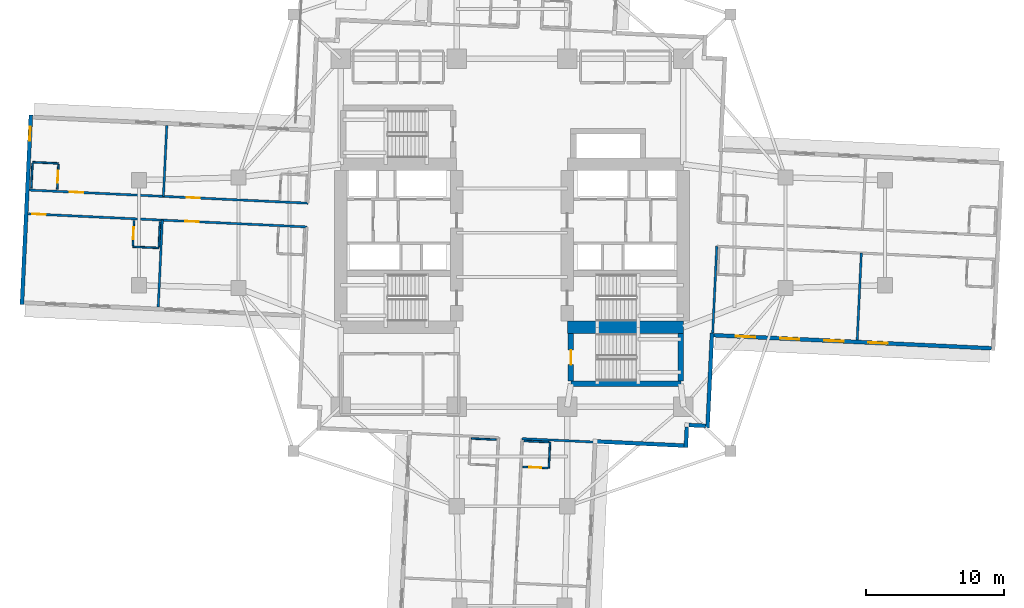
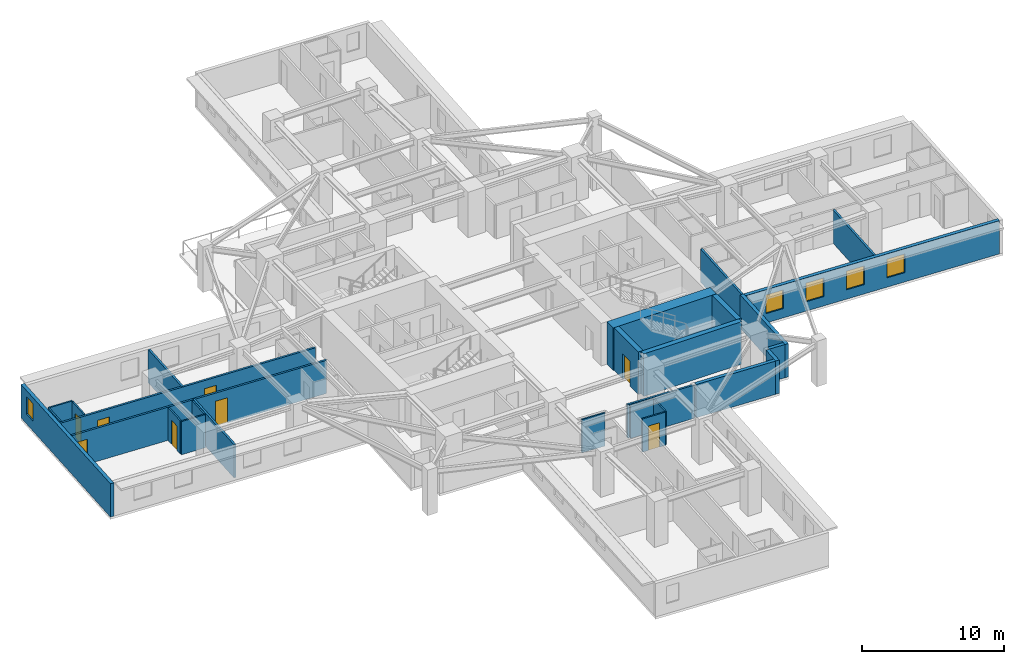
# One storey, part 4 of 13: 27 walls, 8 doors, 5 windows, 13 openings.
"""IFC4 building model written with IfcOpenShell, lengths in metres."""

from ifc_helpers import new_model, si_unit, direction, frame, frame_2d, origin, place, context, subcontext, project, spatial, rectangle, extrude, material, layer, layer_set, type_object, element, fill, save


model = new_model("IFC4")

# Units and contexts
model_context = context("Model", 3, precision=1e-05, world=origin(), true_north=direction((0.0, 1.0)))
body_context = subcontext(model_context, "Body", "Model", "MODEL_VIEW")
ifc_project = project(units=[si_unit("LENGTHUNIT", "METRE"), si_unit("AREAUNIT", "SQUARE_METRE"), si_unit("VOLUMEUNIT", "CUBIC_METRE"), si_unit("PLANEANGLEUNIT", "RADIAN"), si_unit("MASSUNIT", "GRAM", prefix="KILO")], contexts=[model_context])

# Site, building, storey
site_placement = place(None, origin())
site = spatial("IfcSite", under=ifc_project, at=site_placement, CompositionType="ELEMENT")
building_placement = place(site_placement, origin())
building = spatial("IfcBuilding", under=site, at=building_placement, Name="Qingluan Cross Belvedere", CompositionType="ELEMENT")
storey_placement = place(building_placement, frame((0.0, 0.0, 91.199951171875)))
storey = spatial("IfcBuildingStorey", under=building, at=storey_placement, Name="L23", CompositionType="ELEMENT", Elevation=91.199951171875)

# Wall
ifc_material_1 = material(Name="Concrete C50", Category="concrete")
ifc_layer_1 = layer(ifc_material_1, 0.449951171875, Name="CoreShearWall_450")
ifc_layer_set_1 = layer_set([ifc_layer_1], Name="Concrete C50")
wall_type_1 = type_object("IfcWallType", Name="CoreShearWall_450", PredefinedType="SHEAR", material=ifc_layer_set_1)
wall_1_placement = place(storey_placement, frame((4.260009765625, -10.93994140625, 0.0), z_axis=(0.0, 0.0, 1.0), x_axis=(1.0, 0.0, 0.0)))
element("IfcWall", 1, at=wall_1_placement, inside=storey, type_object=wall_type_1, Name="Stair ST4 structural wall S L23", PredefinedType="SHEAR", context=body_context, shape_type="SweptSolid", body=[
    extrude(rectangle(XDim=7.9599609375, YDim=0.39990234375, at=frame_2d((3.97998046875, 0.0))), origin(), (0.0, 0.0, 1.0), 3.650146484375),
])

# Wall, opening, door
wall_2_placement = place(storey_placement, frame((4.260009765625, -10.735107421875, 0.0), z_axis=(0.0, 0.0, 1.0), x_axis=(0.0, 1.0, 0.0)))
wall_2 = element("IfcWall", 2, at=wall_2_placement, inside=storey, type_object=wall_type_1, Name="Stair ST4 structural wall W L23", PredefinedType="SHEAR", context=body_context, shape_type="SweptSolid", body=[
    extrude(rectangle(XDim=3.43017578125, YDim=0.39990234375, at=frame_2d((1.715087890625, 0.0))), origin(), (0.0, 0.0, 1.0), 3.650146484375),
])
opening_1_placement = place(wall_2_placement, frame((1.18505859375, 0.0, 0.0)))
opening_1 = element("IfcOpeningElement", 3, at=opening_1_placement, cuts=wall_2, Name="Opening FD-B11", PredefinedType="OPENING", context=body_context, shape_type="SweptSolid", body=[
    extrude(rectangle(XDim=1.050048828125, YDim=2.14990234375, at=frame_2d((0.52490234375, 1.074951171875))), frame((0.0, 0.2099609375, 0.0), z_axis=(0.0, -1.0, 0.0), x_axis=(1.0, 0.0, 0.0)), (0.0, 0.0, 1.0), 0.419921875),
])
ifc_material_2 = material(Name="Steel Class B smoke-seal fire door", Category="steel")
door_type_1 = type_object("IfcDoorType", Name="StairLobbyFireDoor_FDB", OperationType="NOTDEFINED", PredefinedType="DOOR", material=ifc_material_2)
door_1_placement = place(opening_1_placement, origin())
door_1 = element("IfcDoor", 4, at=door_1_placement, inside=storey, type_object=door_type_1, Name="Smoke-proof stair ST4 fire door L23", OperationType="SINGLE_SWING_LEFT", OverallHeight=2.14990234375, OverallWidth=1.050048828125, PredefinedType="DOOR", context=body_context, shape_type="SweptSolid", body=[
    extrude(rectangle(XDim=1.050048828125, YDim=2.14990234375, at=frame_2d((0.52490234375, 1.074951171875))), frame((0.0, 0.02490234375, 0.0), z_axis=(0.0, -1.0, 0.0), x_axis=(1.0, 0.0, 0.0)), (0.0, 0.0, 1.0), 0.050048828125),
])
fill(opening_1, door_1)

# Walls
wall_3_placement = place(storey_placement, frame((12.219970703125, -10.735107421875, 0.0), z_axis=(0.0, 0.0, 1.0), x_axis=(0.0, 1.0, 0.0)))
element("IfcWall", 5, at=wall_3_placement, inside=storey, type_object=wall_type_1, Name="Stair ST4 structural wall E L23", PredefinedType="SHEAR", context=body_context, shape_type="SweptSolid", body=[
    extrude(rectangle(XDim=3.43017578125, YDim=0.39990234375, at=frame_2d((1.715087890625, 0.0))), origin(), (0.0, 0.0, 1.0), 3.650146484375),
])
ifc_material_3 = material(Name="Concrete C70", Category="concrete")
ifc_layer_2 = layer(ifc_material_3, 0.89990234375, Name="CoreShearWall_900")
ifc_layer_set_2 = layer_set([ifc_layer_2], Name="Concrete C70")
wall_type_2 = type_object("IfcWallType", Name="CoreShearWall_900", PredefinedType="SHEAR", material=ifc_layer_set_2)
wall_4_placement = place(storey_placement, frame((4.0, -6.85009765625, 0.0), z_axis=(0.0, 0.0, 1.0), x_axis=(1.0, 0.0, 0.0)))
element("IfcWall", 6, at=wall_4_placement, inside=storey, type_object=wall_type_2, Name="Split core E shear wall L23-S", PredefinedType="SHEAR", context=body_context, shape_type="SweptSolid", body=[
    extrude(rectangle(XDim=8.39990234375, YDim=0.89990234375, at=frame_2d((4.199951171875, 0.0))), origin(), (0.0, 0.0, 1.0), 3.650146484375),
])
ifc_material_4 = material(Name="Gypsum plasterboard on steel stud acoustic partition", Category="steel")
ifc_layer_3 = layer(ifc_material_4, 0.159912109375, Name="CorridorPartition_160")
ifc_layer_set_3 = layer_set([ifc_layer_3], Name="Gypsum plasterboard on steel stud acoustic partition")
wall_type_3 = type_object("IfcWallType", Name="CorridorPartition_160", PredefinedType="PARTITIONING", material=ifc_layer_set_3)
wall_5_placement = place(storey_placement, frame((14.8203125, -0.979248046875, 0.0), z_axis=(0.0, 0.0, 1.0), x_axis=(-0.047104274115, -0.998889977605, 0.0)))
element("IfcWall", 7, at=wall_5_placement, inside=storey, type_object=wall_type_3, Name="Partition L23:E:s1", PredefinedType="PARTITIONING", context=body_context, shape_type="SweptSolid", body=[
    extrude(rectangle(XDim=6.292236328125, YDim=0.159912109375, at=frame_2d((3.14599609375, 0.0))), origin(), (0.0, 0.0, 1.0), 2.85009765625),
])
wall_6_placement = place(storey_placement, frame((25.27880859375, -1.472412109375, 0.0), z_axis=(0.0, 0.0, 1.0), x_axis=(-0.047106099844, -0.998889891508, 0.0)))
element("IfcWall", 8, at=wall_6_placement, inside=storey, type_object=wall_type_3, Name="Partition L23:E:d1_0", PredefinedType="PARTITIONING", context=body_context, shape_type="SweptSolid", body=[
    extrude(rectangle(XDim=6.2919921875, YDim=0.159912109375, at=frame_2d((3.14599609375, 0.0))), origin(), (0.0, 0.0, 1.0), 2.85009765625),
])

# Wall, openings, doors
wall_7_placement = place(storey_placement, frame((-14.765625, 2.137939453125, 0.0), z_axis=(0.0, 0.0, 1.0), x_axis=(-0.998889926753, 0.047105352469, 0.0)))
wall_7 = element("IfcWall", 9, at=wall_7_placement, inside=storey, type_object=wall_type_3, Name="Partition L23:W:c0", PredefinedType="PARTITIONING", context=body_context, shape_type="SweptSolid", body=[
    extrude(rectangle(XDim=20.18212890625, YDim=0.159912109375, at=frame_2d((10.091064453125, 0.0))), origin(), (0.0, 0.0, 1.0), 2.85009765625),
])
opening_2_placement = place(wall_7_placement, frame((7.8359375, 0.0, 0.0)))
opening_2 = element("IfcOpeningElement", 10, at=opening_2_placement, cuts=wall_7, Name="Opening GD-10", PredefinedType="OPENING", context=body_context, shape_type="SweptSolid", body=[
    extrude(rectangle(XDim=0.9599609375, YDim=2.14990234375, at=frame_2d((0.47998046875, 1.074951171875))), frame((0.0, 0.08984375, 0.0), z_axis=(0.0, -1.0, 0.0), x_axis=(1.0, 0.0, 0.0)), (0.0, 0.0, 1.0), 0.179931640625),
])
opening_3_placement = place(wall_7_placement, frame((16.2958984375, 0.0, 0.0)))
opening_3 = element("IfcOpeningElement", 11, at=opening_3_placement, cuts=wall_7, Name="Opening GD-10", PredefinedType="OPENING", context=body_context, shape_type="SweptSolid", body=[
    extrude(rectangle(XDim=0.9599609375, YDim=2.14990234375, at=frame_2d((0.47998046875, 1.074951171875))), frame((0.0, 0.08984375, 0.0), z_axis=(0.0, -1.0, 0.0), x_axis=(1.0, 0.0, 0.0)), (0.0, 0.0, 1.0), 0.179931640625),
])
ifc_material_5 = material(Name="Timber oak fire-rated acoustic guestroom door", Category="wood")
door_type_2 = type_object("IfcDoorType", Name="GuestEntryDoor_FD60", OperationType="NOTDEFINED", PredefinedType="DOOR", material=ifc_material_5)
door_2_placement = place(opening_2_placement, origin())
door_2 = element("IfcDoor", 12, at=door_2_placement, inside=storey, type_object=door_type_2, Name="Guest entry fire door 2305", OperationType="SINGLE_SWING_LEFT", OverallHeight=2.14990234375, OverallWidth=0.9599609375, PredefinedType="DOOR", context=body_context, shape_type="SweptSolid", body=[
    extrude(rectangle(XDim=0.9599609375, YDim=2.14990234375, at=frame_2d((0.47998046875, 1.074951171875))), frame((0.0, 0.02490234375, 0.0), z_axis=(0.0, -1.0, 0.0), x_axis=(1.0, 0.0, 0.0)), (0.0, 0.0, 1.0), 0.050048828125),
])
fill(opening_2, door_2)
door_3_placement = place(opening_3_placement, origin())
door_3 = element("IfcDoor", 13, at=door_3_placement, inside=storey, type_object=door_type_2, Name="Guest entry fire door 2306", OperationType="SINGLE_SWING_LEFT", OverallHeight=2.14990234375, OverallWidth=0.9599609375, PredefinedType="DOOR", context=body_context, shape_type="SweptSolid", body=[
    extrude(rectangle(XDim=0.9599609375, YDim=2.14990234375, at=frame_2d((0.47998046875, 1.074951171875))), frame((0.0, 0.02490234375, 0.0), z_axis=(0.0, -1.0, 0.0), x_axis=(1.0, 0.0, 0.0)), (0.0, 0.0, 1.0), 0.050048828125),
])
fill(opening_3, door_3)

# Wall
wall_8_placement = place(storey_placement, frame((-25.22412109375, 2.631103515625, 0.0), z_axis=(0.0, 0.0, 1.0), x_axis=(0.047097271264, 0.998890307811, 0.0)))
element("IfcWall", 14, at=wall_8_placement, inside=storey, type_object=wall_type_3, Name="Partition L23:W:d0_0", PredefinedType="PARTITIONING", context=body_context, shape_type="SweptSolid", body=[
    extrude(rectangle(XDim=5.1318359375, YDim=0.159912109375, at=frame_2d((2.56591796875, 0.0))), origin(), (0.0, 0.0, 1.0), 2.85009765625),
])

# Wall, openings, doors
wall_9_placement = place(storey_placement, frame((-14.8466796875, 0.419921875, 0.0), z_axis=(0.0, 0.0, 1.0), x_axis=(-0.998889926753, 0.047105352469, 0.0)))
wall_9 = element("IfcWall", 15, at=wall_9_placement, inside=storey, type_object=wall_type_3, Name="Partition L23:W:c1", PredefinedType="PARTITIONING", context=body_context, shape_type="SweptSolid", body=[
    extrude(rectangle(XDim=20.18212890625, YDim=0.159912109375, at=frame_2d((10.091064453125, 0.0))), origin(), (0.0, 0.0, 1.0), 2.85009765625),
])
opening_4_placement = place(wall_9_placement, frame((7.8359375, 0.0, 0.0)))
opening_4 = element("IfcOpeningElement", 16, at=opening_4_placement, cuts=wall_9, Name="Opening GD-10", PredefinedType="OPENING", context=body_context, shape_type="SweptSolid", body=[
    extrude(rectangle(XDim=0.9599609375, YDim=2.14990234375, at=frame_2d((0.47998046875, 1.074951171875))), frame((0.0, 0.08984375, 0.0), z_axis=(0.0, -1.0, 0.0), x_axis=(1.0, 0.0, 0.0)), (0.0, 0.0, 1.0), 0.179931640625),
])
opening_5_placement = place(wall_9_placement, frame((18.929931640625, 0.0, 0.0)))
opening_5 = element("IfcOpeningElement", 17, at=opening_5_placement, cuts=wall_9, Name="Opening GD-10", PredefinedType="OPENING", context=body_context, shape_type="SweptSolid", body=[
    extrude(rectangle(XDim=0.9599609375, YDim=2.14990234375, at=frame_2d((0.47998046875, 1.074951171875))), frame((0.0, 0.08984375, 0.0), z_axis=(0.0, -1.0, 0.0), x_axis=(1.0, 0.0, 0.0)), (0.0, 0.0, 1.0), 0.179931640625),
])
door_4_placement = place(opening_4_placement, origin())
door_4 = element("IfcDoor", 18, at=door_4_placement, inside=storey, type_object=door_type_2, Name="Guest entry fire door 2307", OperationType="SINGLE_SWING_LEFT", OverallHeight=2.14990234375, OverallWidth=0.9599609375, PredefinedType="DOOR", context=body_context, shape_type="SweptSolid", body=[
    extrude(rectangle(XDim=0.9599609375, YDim=2.14990234375, at=frame_2d((0.47998046875, 1.074951171875))), frame((0.0, 0.02490234375, 0.0), z_axis=(0.0, -1.0, 0.0), x_axis=(1.0, 0.0, 0.0)), (0.0, 0.0, 1.0), 0.050048828125),
])
fill(opening_4, door_4)
door_5_placement = place(opening_5_placement, origin())
door_5 = element("IfcDoor", 19, at=door_5_placement, inside=storey, type_object=door_type_2, Name="Guest entry fire door 2308", OperationType="SINGLE_SWING_LEFT", OverallHeight=2.14990234375, OverallWidth=0.9599609375, PredefinedType="DOOR", context=body_context, shape_type="SweptSolid", body=[
    extrude(rectangle(XDim=0.9599609375, YDim=2.14990234375, at=frame_2d((0.47998046875, 1.074951171875))), frame((0.0, 0.02490234375, 0.0), z_axis=(0.0, -1.0, 0.0), x_axis=(1.0, 0.0, 0.0)), (0.0, 0.0, 1.0), 0.050048828125),
])
fill(opening_5, door_5)

# Walls
wall_10_placement = place(storey_placement, frame((-25.30517578125, 0.9130859375, 0.0), z_axis=(0.0, 0.0, 1.0), x_axis=(-0.047065559216, -0.998891802517, 0.0)))
element("IfcWall", 20, at=wall_10_placement, inside=storey, type_object=wall_type_3, Name="Partition L23:W:d1_0", PredefinedType="PARTITIONING", context=body_context, shape_type="SweptSolid", body=[
    extrude(rectangle(XDim=6.292236328125, YDim=0.159912109375, at=frame_2d((3.14599609375, 0.0))), origin(), (0.0, 0.0, 1.0), 2.85009765625),
])
wall_11_placement = place(storey_placement, frame((0.739013671875, -14.9013671875, 0.0), z_axis=(0.0, 0.0, 1.0), x_axis=(0.998889275357, -0.047119163577, 0.0)))
element("IfcWall", 21, at=wall_11_placement, inside=storey, type_object=wall_type_3, Name="Partition L23:S:s0", PredefinedType="PARTITIONING", context=body_context, shape_type="SweptSolid", body=[
    extrude(rectangle(XDim=5.27978515625, YDim=0.159912109375, at=frame_2d((2.639892578125, 0.0))), origin(), (0.0, 0.0, 1.0), 2.85009765625),
])

# Wall, opening, door
ifc_material_6 = material(Name="Moisture-resistant gypsum board lining")
ifc_layer_4 = layer(ifc_material_6, 0.1201171875, Name="EnsuiteWetPartition_120")
ifc_layer_set_4 = layer_set([ifc_layer_4], Name="Moisture-resistant gypsum board lining")
wall_type_4 = type_object("IfcWallType", Name="EnsuiteWetPartition_120", PredefinedType="PARTITIONING", material=ifc_layer_set_4)
wall_12_placement = place(storey_placement, frame((-32.908935546875, 3.1337890625, 0.0), z_axis=(0.0, 0.0, 1.0), x_axis=(0.047087116047, 0.998890786574, 0.0)))
wall_12 = element("IfcWall", 22, at=wall_12_placement, inside=storey, type_object=wall_type_4, Name="Partition L23:W:bs0_1", PredefinedType="PARTITIONING", context=body_context, shape_type="SweptSolid", body=[
    extrude(rectangle(XDim=1.81982421875, YDim=0.1201171875, at=frame_2d((0.909912109375, 0.0))), origin(), (0.0, 0.0, 1.0), 2.85009765625),
])
opening_6_placement = place(wall_12_placement, frame((0.469970703125, 0.0, 0.0)))
opening_6 = element("IfcOpeningElement", 23, at=opening_6_placement, cuts=wall_12, Name="Opening BD-09", PredefinedType="OPENING", context=body_context, shape_type="SweptSolid", body=[
    extrude(rectangle(XDim=0.8798828125, YDim=2.10009765625, at=frame_2d((0.43994140625, 1.050048828125))), frame((0.0, 0.070068359375, 0.0), z_axis=(0.0, -1.0, 0.0), x_axis=(1.0, 0.0, 0.0)), (0.0, 0.0, 1.0), 0.14013671875),
])
ifc_material_7 = material(Name="Moisture-sealed timber en-suite door", Category="wood")
door_type_3 = type_object("IfcDoorType", Name="BathroomDoor_880", OperationType="NOTDEFINED", PredefinedType="DOOR", material=ifc_material_7)
door_6_placement = place(opening_6_placement, origin())
door_6 = element("IfcDoor", 24, at=door_6_placement, inside=storey, type_object=door_type_3, Name="Bathroom door 2306", OperationType="SINGLE_SWING_RIGHT", OverallHeight=2.10009765625, OverallWidth=0.8798828125, PredefinedType="DOOR", context=body_context, shape_type="SweptSolid", body=[
    extrude(rectangle(XDim=0.8798828125, YDim=2.10009765625, at=frame_2d((0.43994140625, 1.050048828125))), frame((0.0, 0.02490234375, 0.0), z_axis=(0.0, -1.0, 0.0), x_axis=(1.0, 0.0, 0.0)), (0.0, 0.0, 1.0), 0.050048828125),
])
fill(opening_6, door_6)

# Walls
wall_13_placement = place(storey_placement, frame((-34.786865234375, 3.222412109375, 0.0), z_axis=(0.0, 0.0, 1.0), x_axis=(0.047087116047, 0.998890786574, 0.0)))
element("IfcWall", 25, at=wall_13_placement, inside=storey, type_object=wall_type_4, Name="Partition L23:W:bw0_1", PredefinedType="PARTITIONING", context=body_context, shape_type="SweptSolid", body=[
    extrude(rectangle(XDim=1.81982421875, YDim=0.1201171875, at=frame_2d((0.909912109375, 0.0))), origin(), (0.0, 0.0, 1.0), 2.85009765625),
])
wall_14_placement = place(storey_placement, frame((-32.820068359375, 5.0166015625, 0.0), z_axis=(0.0, 0.0, 1.0), x_axis=(-0.998888319371, 0.047139425368, 0.0)))
element("IfcWall", 26, at=wall_14_placement, inside=storey, type_object=wall_type_4, Name="Partition L23:W:bn0_1", PredefinedType="PARTITIONING", context=body_context, shape_type="SweptSolid", body=[
    extrude(rectangle(XDim=1.880126953125, YDim=0.1201171875, at=frame_2d((0.93994140625, 0.0))), origin(), (0.0, 0.0, 1.0), 2.85009765625),
])

# Wall, opening, door
wall_15_placement = place(storey_placement, frame((-27.43505859375, -0.94873046875, 0.0), z_axis=(0.0, 0.0, 1.0), x_axis=(0.047080807099, 0.998891083954, 0.0)))
wall_15 = element("IfcWall", 27, at=wall_15_placement, inside=storey, type_object=wall_type_4, Name="Partition L23:W:bs1_1", PredefinedType="PARTITIONING", context=body_context, shape_type="SweptSolid", body=[
    extrude(rectangle(XDim=1.820068359375, YDim=0.1201171875, at=frame_2d((0.91015625, 0.0))), origin(), (0.0, 0.0, 1.0), 2.85009765625),
])
opening_7_placement = place(wall_15_placement, frame((0.469970703125, 0.0, 0.0)))
opening_7 = element("IfcOpeningElement", 28, at=opening_7_placement, cuts=wall_15, Name="Opening BD-09", PredefinedType="OPENING", context=body_context, shape_type="SweptSolid", body=[
    extrude(rectangle(XDim=0.8798828125, YDim=2.10009765625, at=frame_2d((0.43994140625, 1.050048828125))), frame((0.0, 0.070068359375, 0.0), z_axis=(0.0, -1.0, 0.0), x_axis=(1.0, 0.0, 0.0)), (0.0, 0.0, 1.0), 0.14013671875),
])
door_7_placement = place(opening_7_placement, origin())
door_7 = element("IfcDoor", 29, at=door_7_placement, inside=storey, type_object=door_type_3, Name="Bathroom door 2308", OperationType="SINGLE_SWING_RIGHT", OverallHeight=2.10009765625, OverallWidth=0.8798828125, PredefinedType="DOOR", context=body_context, shape_type="SweptSolid", body=[
    extrude(rectangle(XDim=0.8798828125, YDim=2.10009765625, at=frame_2d((0.43994140625, 1.050048828125))), frame((0.0, 0.02490234375, 0.0), z_axis=(0.0, -1.0, 0.0), x_axis=(1.0, 0.0, 0.0)), (0.0, 0.0, 1.0), 0.050048828125),
])
fill(opening_7, door_7)

# Walls
wall_16_placement = place(storey_placement, frame((-25.55712890625, -1.037109375, 0.0), z_axis=(0.0, 0.0, 1.0), x_axis=(0.047087116047, 0.998890786574, 0.0)))
element("IfcWall", 30, at=wall_16_placement, inside=storey, type_object=wall_type_4, Name="Partition L23:W:bw1_1", PredefinedType="PARTITIONING", context=body_context, shape_type="SweptSolid", body=[
    extrude(rectangle(XDim=1.81982421875, YDim=0.1201171875, at=frame_2d((0.909912109375, 0.0))), origin(), (0.0, 0.0, 1.0), 2.85009765625),
])
wall_17_placement = place(storey_placement, frame((-25.560302734375, -1.102294921875, 0.0), z_axis=(0.0, 0.0, 1.0), x_axis=(-0.998888319371, 0.047139425368, 0.0)))
element("IfcWall", 31, at=wall_17_placement, inside=storey, type_object=wall_type_4, Name="Partition L23:W:bc1_1", PredefinedType="PARTITIONING", context=body_context, shape_type="SweptSolid", body=[
    extrude(rectangle(XDim=1.880126953125, YDim=0.1201171875, at=frame_2d((0.93994140625, 0.0))), origin(), (0.0, 0.0, 1.0), 2.85009765625),
])

# Wall, opening, door
wall_18_placement = place(storey_placement, frame((0.78271484375, -16.94580078125, 0.0), z_axis=(0.0, 0.0, 1.0), x_axis=(0.998890786574, -0.047087116047, 0.0)))
wall_18 = element("IfcWall", 32, at=wall_18_placement, inside=storey, type_object=wall_type_4, Name="Partition L23:S:bs0_0", PredefinedType="PARTITIONING", context=body_context, shape_type="SweptSolid", body=[
    extrude(rectangle(XDim=1.81982421875, YDim=0.1201171875, at=frame_2d((0.909912109375, 0.0))), origin(), (0.0, 0.0, 1.0), 2.85009765625),
])
opening_8_placement = place(wall_18_placement, frame((0.469970703125, 0.0, 0.0)))
opening_8 = element("IfcOpeningElement", 33, at=opening_8_placement, cuts=wall_18, Name="Opening BD-09", PredefinedType="OPENING", context=body_context, shape_type="SweptSolid", body=[
    extrude(rectangle(XDim=0.8798828125, YDim=2.10009765625, at=frame_2d((0.43994140625, 1.050048828125))), frame((0.0, 0.070068359375, 0.0), z_axis=(0.0, -1.0, 0.0), x_axis=(1.0, 0.0, 0.0)), (0.0, 0.0, 1.0), 0.14013671875),
])
door_8_placement = place(opening_8_placement, origin())
door_8 = element("IfcDoor", 34, at=door_8_placement, inside=storey, type_object=door_type_3, Name="Bathroom door 2313", OperationType="SINGLE_SWING_RIGHT", OverallHeight=2.10009765625, OverallWidth=0.8798828125, PredefinedType="DOOR", context=body_context, shape_type="SweptSolid", body=[
    extrude(rectangle(XDim=0.8798828125, YDim=2.10009765625, at=frame_2d((0.43994140625, 1.050048828125))), frame((0.0, 0.02490234375, 0.0), z_axis=(0.0, -1.0, 0.0), x_axis=(1.0, 0.0, 0.0)), (0.0, 0.0, 1.0), 0.050048828125),
])
fill(opening_8, door_8)

# Walls
wall_19_placement = place(storey_placement, frame((0.87109375, -15.06787109375, 0.0), z_axis=(0.0, 0.0, 1.0), x_axis=(0.998891083954, -0.047080807099, 0.0)))
element("IfcWall", 35, at=wall_19_placement, inside=storey, type_object=wall_type_4, Name="Partition L23:S:bw0_0", PredefinedType="PARTITIONING", context=body_context, shape_type="SweptSolid", body=[
    extrude(rectangle(XDim=1.820068359375, YDim=0.1201171875, at=frame_2d((0.91015625, 0.0))), origin(), (0.0, 0.0, 1.0), 2.85009765625),
])
wall_20_placement = place(storey_placement, frame((2.754150390625, -15.156494140625, 0.0), z_axis=(0.0, 0.0, 1.0), x_axis=(-0.047139425368, -0.998888319371, 0.0)))
element("IfcWall", 36, at=wall_20_placement, inside=storey, type_object=wall_type_4, Name="Partition L23:S:bn0_0", PredefinedType="PARTITIONING", context=body_context, shape_type="SweptSolid", body=[
    extrude(rectangle(XDim=1.880126953125, YDim=0.1201171875, at=frame_2d((0.93994140625, 0.0))), origin(), (0.0, 0.0, 1.0), 2.85009765625),
])
wall_21_placement = place(storey_placement, frame((-2.944580078125, -14.8876953125, 0.0), z_axis=(0.0, 0.0, 1.0), x_axis=(0.998884467853, -0.047220968666, 0.0)))
element("IfcWall", 37, at=wall_21_placement, inside=storey, type_object=wall_type_4, Name="Partition L23:S:bw1_0", PredefinedType="PARTITIONING", context=body_context, shape_type="SweptSolid", body=[
    extrude(rectangle(XDim=1.81982421875, YDim=0.1201171875, at=frame_2d((0.909912109375, 0.0))), origin(), (0.0, 0.0, 1.0), 2.85009765625),
])

# Wall, openings, windows
ifc_material_8 = material(Name="Precast concrete C45", Category="concrete")
ifc_layer_5 = layer(ifc_material_8, 0.280029296875, Name="PrecastFacadeWall_280")
ifc_layer_set_5 = layer_set([ifc_layer_5], Name="Precast concrete C45")
wall_type_5 = type_object("IfcWallType", Name="PrecastFacadeWall_280", PredefinedType="STANDARD", material=ifc_layer_set_5)
wall_22_placement = place(storey_placement, frame((14.60693359375, -7.416259765625, 0.0), z_axis=(0.0, 0.0, 1.0), x_axis=(0.998890015344, -0.047103473814, 0.0)))
wall_22 = element("IfcWall", 38, at=wall_22_placement, inside=storey, type_object=wall_type_5, Name="Facade wall L23-EA", PredefinedType="STANDARD", context=body_context, shape_type="SweptSolid", body=[
    extrude(rectangle(XDim=20.099853515625, YDim=0.280029296875, at=frame_2d((10.0498046875, 0.0))), origin(), (0.0, 0.0, 1.0), 2.860107421875),
])
opening_9_placement = place(wall_22_placement, frame((1.60009765625, 0.0, 0.800048828125)))
opening_9 = element("IfcOpeningElement", 39, at=opening_9_placement, cuts=wall_22, Name="Opening W-01", PredefinedType="OPENING", context=body_context, shape_type="SweptSolid", body=[
    extrude(rectangle(XDim=1.39990234375, YDim=1.60009765625, at=frame_2d((0.699951171875, 0.800048828125))), frame((0.0, 0.14990234375, 0.0), z_axis=(0.0, -1.0, 0.0), x_axis=(1.0, 0.0, 0.0)), (0.0, 0.0, 1.0), 0.300048828125),
])
opening_10_placement = place(wall_22_placement, frame((4.800048828125, 0.0, 0.800048828125)))
opening_10 = element("IfcOpeningElement", 40, at=opening_10_placement, cuts=wall_22, Name="Opening W-01", PredefinedType="OPENING", context=body_context, shape_type="SweptSolid", body=[
    extrude(rectangle(XDim=1.39990234375, YDim=1.60009765625, at=frame_2d((0.699951171875, 0.800048828125))), frame((0.0, 0.14990234375, 0.0), z_axis=(0.0, -1.0, 0.0), x_axis=(1.0, 0.0, 0.0)), (0.0, 0.0, 1.0), 0.300048828125),
])
opening_11_placement = place(wall_22_placement, frame((8.0, 0.0, 0.800048828125)))
opening_11 = element("IfcOpeningElement", 41, at=opening_11_placement, cuts=wall_22, Name="Opening W-01", PredefinedType="OPENING", context=body_context, shape_type="SweptSolid", body=[
    extrude(rectangle(XDim=1.39990234375, YDim=1.60009765625, at=frame_2d((0.699951171875, 0.800048828125))), frame((0.0, 0.14990234375, 0.0), z_axis=(0.0, -1.0, 0.0), x_axis=(1.0, 0.0, 0.0)), (0.0, 0.0, 1.0), 0.300048828125),
])
opening_12_placement = place(wall_22_placement, frame((11.199951171875, 0.0, 0.800048828125)))
opening_12 = element("IfcOpeningElement", 42, at=opening_12_placement, cuts=wall_22, Name="Opening W-01", PredefinedType="OPENING", context=body_context, shape_type="SweptSolid", body=[
    extrude(rectangle(XDim=1.39990234375, YDim=1.60009765625, at=frame_2d((0.699951171875, 0.800048828125))), frame((0.0, 0.14990234375, 0.0), z_axis=(0.0, -1.0, 0.0), x_axis=(1.0, 0.0, 0.0)), (0.0, 0.0, 1.0), 0.300048828125),
])
ifc_material_9 = material(Name="Thermally broken triple Low-E glass in aluminium frame", Category="aluminium")
window_type_1 = type_object("IfcWindowType", Name="TriRibbonWin_1400x1600", PartitioningType="SINGLE_PANEL", PredefinedType="WINDOW", material=ifc_material_9)
window_1_placement = place(opening_9_placement, origin())
window_1 = element("IfcWindow", 43, at=window_1_placement, inside=storey, type_object=window_type_1, Name="Ribbon window L23-EA-1", OverallHeight=1.60009765625, OverallWidth=1.39990234375, PartitioningType="SINGLE_PANEL", PredefinedType="WINDOW", context=body_context, shape_type="SweptSolid", body=[
    extrude(rectangle(XDim=1.39990234375, YDim=1.60009765625, at=frame_2d((0.699951171875, 0.800048828125))), frame((0.0, 0.030029296875, 0.0), z_axis=(0.0, -1.0, 0.0), x_axis=(1.0, 0.0, 0.0)), (0.0, 0.0, 1.0), 0.06005859375),
])
fill(opening_9, window_1)
window_2_placement = place(opening_10_placement, origin())
window_2 = element("IfcWindow", 44, at=window_2_placement, inside=storey, type_object=window_type_1, Name="Ribbon window L23-EA-2", OverallHeight=1.60009765625, OverallWidth=1.39990234375, PartitioningType="SINGLE_PANEL", PredefinedType="WINDOW", context=body_context, shape_type="SweptSolid", body=[
    extrude(rectangle(XDim=1.39990234375, YDim=1.60009765625, at=frame_2d((0.699951171875, 0.800048828125))), frame((0.0, 0.030029296875, 0.0), z_axis=(0.0, -1.0, 0.0), x_axis=(1.0, 0.0, 0.0)), (0.0, 0.0, 1.0), 0.06005859375),
])
fill(opening_10, window_2)
window_3_placement = place(opening_11_placement, origin())
window_3 = element("IfcWindow", 45, at=window_3_placement, inside=storey, type_object=window_type_1, Name="Ribbon window L23-EA-3", OverallHeight=1.60009765625, OverallWidth=1.39990234375, PartitioningType="SINGLE_PANEL", PredefinedType="WINDOW", context=body_context, shape_type="SweptSolid", body=[
    extrude(rectangle(XDim=1.39990234375, YDim=1.60009765625, at=frame_2d((0.699951171875, 0.800048828125))), frame((0.0, 0.030029296875, 0.0), z_axis=(0.0, -1.0, 0.0), x_axis=(1.0, 0.0, 0.0)), (0.0, 0.0, 1.0), 0.06005859375),
])
fill(opening_11, window_3)
window_4_placement = place(opening_12_placement, origin())
window_4 = element("IfcWindow", 46, at=window_4_placement, inside=storey, type_object=window_type_1, Name="Ribbon window L23-EA-4", OverallHeight=1.60009765625, OverallWidth=1.39990234375, PartitioningType="SINGLE_PANEL", PredefinedType="WINDOW", context=body_context, shape_type="SweptSolid", body=[
    extrude(rectangle(XDim=1.39990234375, YDim=1.60009765625, at=frame_2d((0.699951171875, 0.800048828125))), frame((0.0, 0.030029296875, 0.0), z_axis=(0.0, -1.0, 0.0), x_axis=(1.0, 0.0, 0.0)), (0.0, 0.0, 1.0), 0.06005859375),
])
fill(opening_12, window_4)

# Wall, opening, window
wall_23_placement = place(storey_placement, frame((-34.81787109375, 8.509521484375, 0.0), z_axis=(0.0, 0.0, 1.0), x_axis=(-0.047101845086, -0.998890092147, 0.0)))
wall_23 = element("IfcWall", 47, at=wall_23_placement, inside=storey, type_object=wall_type_5, Name="Arm tip precast facade wall L23-W", PredefinedType="STANDARD", context=body_context, shape_type="SweptSolid", body=[
    extrude(rectangle(XDim=13.719970703125, YDim=0.280029296875, at=frame_2d((6.85986328125, 0.0))), origin(), (0.0, 0.0, 1.0), 2.860107421875),
])
opening_13_placement = place(wall_23_placement, frame((0.85009765625, 0.0, 0.85009765625)))
opening_13 = element("IfcOpeningElement", 48, at=opening_13_placement, cuts=wall_23, Name="Opening W-03", PredefinedType="OPENING", context=body_context, shape_type="SweptSolid", body=[
    extrude(rectangle(XDim=1.0, YDim=1.5, at=frame_2d((0.5, 0.75))), frame((0.0, 0.14990234375, 0.0), z_axis=(0.0, -1.0, 0.0), x_axis=(1.0, 0.0, 0.0)), (0.0, 0.0, 1.0), 0.300048828125),
])
ifc_material_10 = material(Name="Thermally broken triple Low-E glass in aluminium frame", Category="aluminium")
window_type_2 = type_object("IfcWindowType", Name="TriApexWin_1000x1500", PartitioningType="SINGLE_PANEL", PredefinedType="WINDOW", material=ifc_material_10)
window_5_placement = place(opening_13_placement, origin())
window_5 = element("IfcWindow", 49, at=window_5_placement, inside=storey, type_object=window_type_2, Name="Arm tip triangular window L23-W", OverallHeight=1.5, OverallWidth=1.0, PartitioningType="SINGLE_PANEL", PredefinedType="WINDOW", context=body_context, shape_type="SweptSolid", body=[
    extrude(rectangle(XDim=1.0, YDim=1.5, at=frame_2d((0.5, 0.75))), frame((0.0, 0.030029296875, 0.0), z_axis=(0.0, -1.0, 0.0), x_axis=(1.0, 0.0, 0.0)), (0.0, 0.0, 1.0), 0.06005859375),
])
fill(opening_13, window_5)

# Walls
wall_24_placement = place(storey_placement, frame((14.4736328125, -7.27001953125, 0.0), z_axis=(0.0, 0.0, 1.0), x_axis=(-0.04712043756, -0.998889215261, 0.0)))
element("IfcWall", 50, at=wall_24_placement, inside=storey, type_object=wall_type_5, Name="Corner wall L23-SE1", PredefinedType="STANDARD", context=body_context, shape_type="SweptSolid", body=[
    extrude(rectangle(XDim=6.85986328125, YDim=0.280029296875, at=frame_2d((3.429931640625, 0.0))), origin(), (0.0, 0.0, 1.0), 2.860107421875),
])
wall_25_placement = place(storey_placement, frame((14.01708984375, -13.975830078125, 0.0), z_axis=(0.0, 0.0, 1.0), x_axis=(-0.998883930236, 0.047232339719, 0.0)))
element("IfcWall", 51, at=wall_25_placement, inside=storey, type_object=wall_type_5, Name="Corner wall L23-SE2", PredefinedType="STANDARD", context=body_context, shape_type="SweptSolid", body=[
    extrude(rectangle(XDim=1.219970703125, YDim=0.280029296875, at=frame_2d((0.60986328125, 0.0))), origin(), (0.0, 0.0, 1.0), 2.860107421875),
])
wall_26_placement = place(storey_placement, frame((12.652099609375, -14.051513671875, 0.0), z_axis=(0.0, 0.0, 1.0), x_axis=(-0.047039284441, -0.99889304018, 0.0)))
element("IfcWall", 52, at=wall_26_placement, inside=storey, type_object=wall_type_5, Name="Corner wall L23-SE3", PredefinedType="STANDARD", context=body_context, shape_type="SweptSolid", body=[
    extrude(rectangle(XDim=1.5, YDim=0.280029296875, at=frame_2d((0.75, 0.0))), origin(), (0.0, 0.0, 1.0), 2.860107421875),
])
wall_27_placement = place(storey_placement, frame((12.4482421875, -15.403564453125, 0.0), z_axis=(0.0, 0.0, 1.0), x_axis=(-0.998889082162, 0.047123258997, 0.0)))
element("IfcWall", 53, at=wall_27_placement, inside=storey, type_object=wall_type_5, Name="Corner wall L23-SE4", PredefinedType="STANDARD", context=body_context, shape_type="SweptSolid", body=[
    extrude(rectangle(XDim=6.300048828125, YDim=0.280029296875, at=frame_2d((3.14990234375, 0.0))), origin(), (0.0, 0.0, 1.0), 2.860107421875),
])

save(model, "model.ifc")
